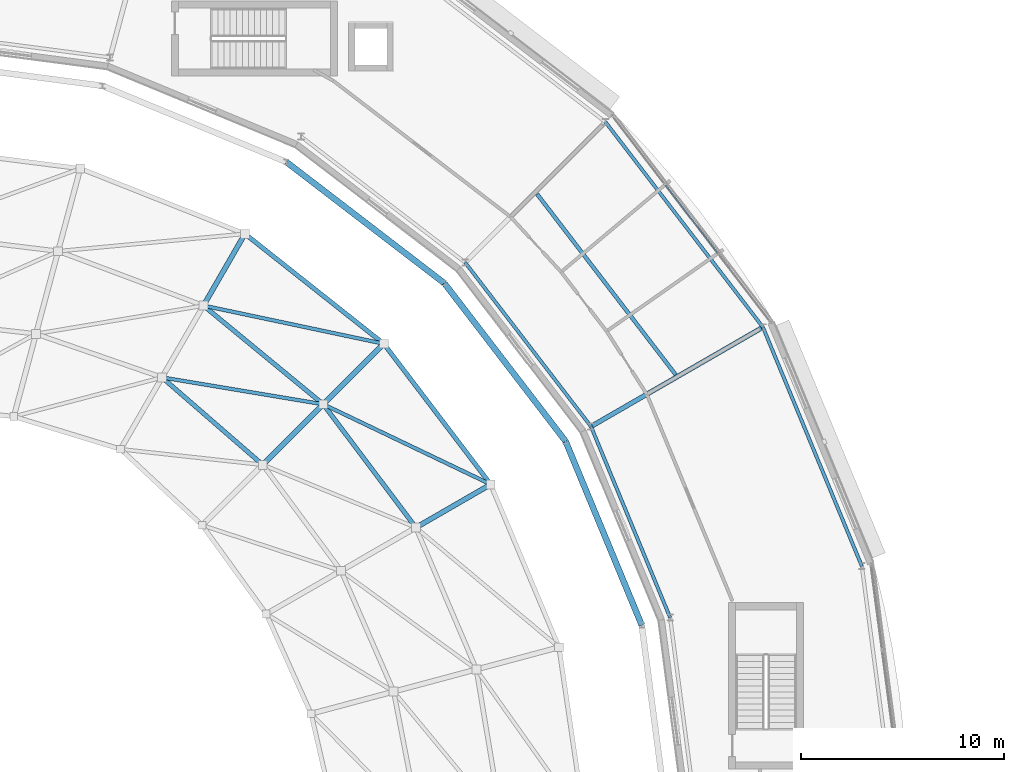
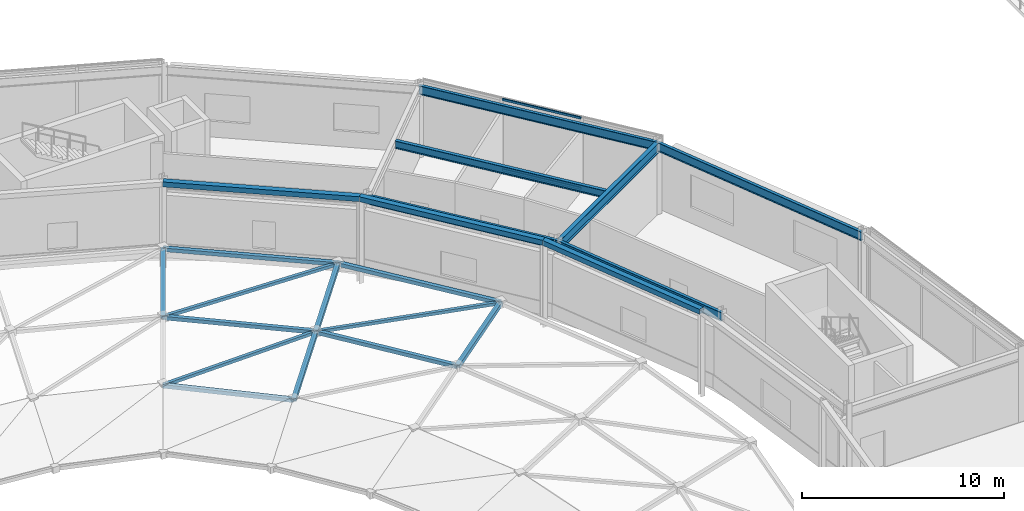
# One storey, part 39 of 89: 14 members, 9 beams, 1 element without a shape of its own.
"""IFC4 building model written with IfcOpenShell, lengths in metres."""

from ifc_helpers import new_model, si_unit, direction, frame, origin, origin_2d, place, context, subcontext, project, spatial, hollow_rectangle, i_section, extrude, material, material_profile, profile_set, type_object, element, aggregate, save


model = new_model("IFC4")

# Units and contexts
model_context = context("Model", 3, precision=1e-05, world=origin(), true_north=direction((0.0, 1.0)))
body_context = subcontext(model_context, "Body", "Model", "MODEL_VIEW")
ifc_project = project(units=[si_unit("LENGTHUNIT", "METRE"), si_unit("AREAUNIT", "SQUARE_METRE"), si_unit("VOLUMEUNIT", "CUBIC_METRE"), si_unit("PLANEANGLEUNIT", "RADIAN"), si_unit("MASSUNIT", "GRAM", prefix="KILO")], contexts=[model_context])

# Site, building, storey
site_placement = place(None, origin())
site = spatial("IfcSite", under=ifc_project, at=site_placement, CompositionType="ELEMENT")
building_placement = place(site_placement, origin())
building = spatial("IfcBuilding", under=site, at=building_placement, Name="Almandine Court Research Institute", CompositionType="ELEMENT")
storey_placement = place(building_placement, frame((0.0, 0.0, 18.89990234375)))
storey = spatial("IfcBuildingStorey", under=building, at=storey_placement, Name="L04", CompositionType="ELEMENT", Elevation=18.89990234375)

# Beams
ifc_material_1 = material(Name="Steel ASTM A992 Grade 50", Category="steel")
ifc_material_profile_1 = material_profile(ifc_material_1, i_section(OverallWidth=0.18994140625, OverallDepth=0.45703125, WebThickness=0.009033203125, FlangeThickness=0.014892578125, at=origin_2d()), Name="W460x74")
ifc_profile_set_1 = profile_set([ifc_material_profile_1], Name="Steel ASTM A992 Grade 50")
beam_type_1 = type_object("IfcBeamType", Name="Beam-B-01", PredefinedType="BEAM", material=ifc_profile_set_1)
beam_1_placement = place(storey_placement, frame((125.044921875, 78.10400390625, 4.080078125), z_axis=(-0.608773677202, 0.793343941772, 0.0), x_axis=(-0.793343941772, -0.608773677202, 0.0)))
element("IfcBeam", 1, at=beam_1_placement, inside=storey, type_object=beam_type_1, Name="L04 Drum MID Ring Beam 02", PredefinedType="BEAM", context=body_context, shape_type="SweptSolid", body=[
    extrude(i_section(OverallWidth=0.18994140625, OverallDepth=0.45703125, WebThickness=0.009033203125, FlangeThickness=0.014892578125, at=origin_2d()), origin(), (0.0, 0.0, 1.0), 11.248779296875),
])
ifc_material_profile_2 = material_profile(ifc_material_1, i_section(OverallWidth=0.22998046875, OverallDepth=0.616943359375, WebThickness=0.012939453125, FlangeThickness=0.02197265625, at=origin_2d()), Name="W610x140")
ifc_profile_set_2 = profile_set([ifc_material_profile_2], Name="Steel ASTM A992 Grade 50")
beam_type_2 = type_object("IfcBeamType", Name="Beam-G-02", PredefinedType="BEAM", material=ifc_profile_set_2)
beam_2_placement = place(storey_placement, frame((120.862060546875, 75.550048828125, 4.0), z_axis=(0.866030014362, 0.49999201416, 0.0), x_axis=(-0.49999201416, 0.866030014362, 0.0)))
element("IfcBeam", 2, at=beam_2_placement, inside=storey, type_object=beam_type_2, Name="L04 Drum Radial Girder 02", PredefinedType="BEAM", context=body_context, shape_type="SweptSolid", body=[
    extrude(i_section(OverallWidth=0.22998046875, OverallDepth=0.616943359375, WebThickness=0.012939453125, FlangeThickness=0.02197265625, at=origin_2d()), origin(), (0.0, 0.0, 1.0), 9.800048828125),
])
ifc_material_profile_3 = material_profile(ifc_material_1, i_section(OverallWidth=0.166015625, OverallDepth=0.534912109375, WebThickness=0.010009765625, FlangeThickness=0.01708984375, at=origin_2d()), Name="W530x85")
ifc_profile_set_3 = profile_set([ifc_material_profile_3], Name="Steel ASTM A992 Grade 50")
beam_type_3 = type_object("IfcBeamType", Name="Beam-G-05-E", PredefinedType="SPANDREL", material=ifc_profile_set_3)
beam_3_placement = place(storey_placement, frame((124.76806640625, 66.1201171875, 4.041015625), z_axis=(-0.382683455912, 0.923879522758, 0.0), x_axis=(-0.923879522758, -0.382683455912, 0.0)))
element("IfcBeam", 3, at=beam_3_placement, inside=storey, type_object=beam_type_3, Name="L04 Drum IN Ring Beam 01", PredefinedType="SPANDREL", context=body_context, shape_type="SweptSolid", body=[
    extrude(i_section(OverallWidth=0.166015625, OverallDepth=0.534912109375, WebThickness=0.010009765625, FlangeThickness=0.01708984375, at=origin_2d()), origin(), (0.0, 0.0, 1.0), 10.206787109375),
])
beam_4_placement = place(storey_placement, frame((134.23388671875, 68.656005859375, 4.041015625), z_axis=(-0.382653578879, 0.923891897665, 0.0), x_axis=(-0.923891897665, -0.382653578879, 0.0)))
element("IfcBeam", 4, at=beam_4_placement, inside=storey, type_object=beam_type_3, Name="L04 Drum OUT Ring Beam 01", PredefinedType="SPANDREL", context=body_context, shape_type="SweptSolid", body=[
    extrude(i_section(OverallWidth=0.166015625, OverallDepth=0.534912109375, WebThickness=0.010009765625, FlangeThickness=0.01708984375, at=origin_2d()), origin(), (0.0, 0.0, 1.0), 12.765625),
])
beam_5_placement = place(storey_placement, frame((120.862060546875, 75.550048828125, 4.041015625), z_axis=(-0.608784478787, 0.793335653042, 0.0), x_axis=(-0.793335653042, -0.608784478787, 0.0)))
element("IfcBeam", 5, at=beam_5_placement, inside=storey, type_object=beam_type_3, Name="L04 Drum IN Ring Beam 02", PredefinedType="SPANDREL", context=body_context, shape_type="SweptSolid", body=[
    extrude(i_section(OverallWidth=0.166015625, OverallDepth=0.534912109375, WebThickness=0.010009765625, FlangeThickness=0.01708984375, at=origin_2d()), origin(), (0.0, 0.0, 1.0), 10.20751953125),
])
beam_6_placement = place(storey_placement, frame((129.34912109375, 80.449951171875, 4.041015625), z_axis=(-0.608751886289, 0.793360662587, 0.0), x_axis=(-0.793360662587, -0.608751886289, 0.0)))
element("IfcBeam", 6, at=beam_6_placement, inside=storey, type_object=beam_type_3, Name="L04 Drum OUT Ring Beam 02", PredefinedType="SPANDREL", context=body_context, shape_type="SweptSolid", body=[
    extrude(i_section(OverallWidth=0.166015625, OverallDepth=0.534912109375, WebThickness=0.010009765625, FlangeThickness=0.01708984375, at=origin_2d()), origin(), (0.0, 0.0, 1.0), 12.765869140625),
])
ifc_material_2 = material(Name="Steel ASTM A500 Grade C", Category="steel")
ifc_material_profile_4 = material_profile(ifc_material_2, hollow_rectangle(XDim=0.300048828125, YDim=0.300048828125, WallThickness=0.011962890625, at=origin_2d()), Name="HSS 300x300x12")
ifc_profile_set_4 = profile_set([ifc_material_profile_4], Name="Steel ASTM A500 Grade C")
beam_type_4 = type_object("IfcBeamType", Name="Beam-RB-01-E", PredefinedType="BEAM", material=ifc_profile_set_4)
beam_7_placement = place(storey_placement, frame((123.366943359375, 65.7451171875, 5.10009765625), z_axis=(-0.382683080424, 0.92387967829, 0.0), x_axis=(-0.92387967829, -0.382683080424, 0.0)))
element("IfcBeam", 7, at=beam_7_placement, inside=storey, type_object=beam_type_4, Name="Gridshell Outer Ring Beam ORB-02", PredefinedType="BEAM", context=body_context, shape_type="SweptSolid", body=[
    extrude(hollow_rectangle(XDim=0.300048828125, YDim=0.300048828125, WallThickness=0.011962890625, at=origin_2d()), origin(), (0.0, 0.0, 1.0), 9.827880859375),
])
for number, where, z_axis, x_axis, name in (
    (8, (119.60595703125, 74.824951171875, 5.10009765625), (-0.608711534396, 0.793391623282, 0.0), (-0.793391623282, -0.608711534396, 0.0), "Gridshell Outer Ring Beam ORB-03"),
    (9, (113.623046875, 82.623046875, 5.10009765625), (-0.793391623282, 0.608711534396, 0.0), (-0.608711534396, -0.793391623282, 0.0), "Gridshell Outer Ring Beam ORB-04"),
):
    element("IfcBeam", number, at=place(storey_placement, frame(where, z_axis=z_axis, x_axis=x_axis)), inside=storey, type_object=beam_type_4, Name=name, PredefinedType="BEAM", context=body_context, shape_type="SweptSolid", body=[
        extrude(hollow_rectangle(XDim=0.300048828125, YDim=0.300048828125, WallThickness=0.011962890625, at=origin_2d()), origin(), (0.0, 0.0, 1.0), 9.828857421875),
    ])

# Curtain wall, members
ifc_material_3 = material(Name="Unitised Curtain Wall Framing and Solar Glazing", Category="glass")
curtain_wall_type = type_object("IfcCurtainWallType", Name="CW-CWJ-21", PredefinedType="USERDEFINED", material=ifc_material_3)
curtain_wall_placement = place(storey_placement, origin())
curtain_wall = element("IfcCurtainWall", 10, at=curtain_wall_placement, inside=storey, type_object=curtain_wall_type, Name="L04 Stacked-Ring Drum Outer Solar Jali Screen 02", ObjectType="SOLAR JALI SCREEN", PredefinedType="USERDEFINED")
ifc_material_4 = material(Name="Anodised Aluminium AW-6063-T6", Category="aluminium")
ifc_material_profile_5 = material_profile(ifc_material_4, hollow_rectangle(XDim=0.06494140625, YDim=0.1298828125, WallThickness=0.00390625, at=origin_2d()), Name="ALU RHS 65x130x4")
ifc_profile_set_5 = profile_set([ifc_material_profile_5], Name="Anodised Aluminium AW-6063-T6")
member_type_1 = type_object("IfcMemberType", Name="CWTrn-65x130", PredefinedType="NOTDEFINED", material=ifc_profile_set_5)
member_1_placement = place(storey_placement, frame((124.538818359375, 87.468505859375, 0.03271484375), z_axis=(0.608741867566, -0.793368349931, 0.0), x_axis=(0.793368349931, 0.608741867566, 0.0)))
member_1 = element("IfcMember", 11, at=member_1_placement, type_object=member_type_1, Name="CWJ-21 transom 2.1", ObjectType="TRANSOM", PredefinedType="USERDEFINED", context=body_context, shape_type="SweptSolid", body=[
    extrude(hollow_rectangle(XDim=0.06494140625, YDim=0.1298828125, WallThickness=0.00390625, at=origin_2d()), origin(), (0.0, 0.0, 1.0), 4.2275390625),
])
member_2_placement = place(storey_placement, frame((124.538818359375, 87.468505859375, 4.277587890625), z_axis=(0.608741867566, -0.793368349931, 0.0), x_axis=(0.793368349931, 0.608741867566, 0.0)))
member_2 = element("IfcMember", 12, at=member_2_placement, type_object=member_type_1, Name="CWJ-21 transom 2.2", ObjectType="TRANSOM", PredefinedType="USERDEFINED", context=body_context, shape_type="SweptSolid", body=[
    extrude(hollow_rectangle(XDim=0.06494140625, YDim=0.1298828125, WallThickness=0.00390625, at=origin_2d()), origin(), (0.0, 0.0, 1.0), 4.2275390625),
])
aggregate(curtain_wall, [member_1, member_2])

# Members
ifc_material_profile_6 = material_profile(ifc_material_2, hollow_rectangle(XDim=0.25, YDim=0.25, WallThickness=0.010009765625, at=origin_2d()), Name="HSS 250x250x10")
ifc_profile_set_6 = profile_set([ifc_material_profile_6], Name="Steel ASTM A500 Grade C")
member_type_2 = type_object("IfcMemberType", Name="Mem-GS-AR1", PredefinedType="RAFTER", material=ifc_profile_set_6)
member_3_placement = place(storey_placement, frame((115.912109375, 72.69189453125, 3.9931640625), z_axis=(-0.830787954745, -0.479442232558, -0.282712786926), x_axis=(0.499833120622, -0.866121730203, 0.0)))
element("IfcMember", 13, at=member_3_placement, inside=storey, type_object=member_type_2, Name="Atrium Conical Gridshell Radial Rib R1-S02", PredefinedType="RAFTER", context=body_context, shape_type="SweptSolid", body=[
    extrude(hollow_rectangle(XDim=0.25, YDim=0.25, WallThickness=0.010009765625, at=origin_2d()), origin(), (0.0, 0.0, 1.0), 4.446533203125),
])
member_4_placement = place(storey_placement, frame((110.634033203125, 79.634033203125, 3.9931640625), z_axis=(-0.677753192831, -0.677753192831, -0.285133686566), x_axis=(0.707106781187, -0.707106781187, 0.0)))
element("IfcMember", 14, at=member_4_placement, inside=storey, type_object=member_type_2, Name="Atrium Conical Gridshell Radial Rib R1-S03", PredefinedType="RAFTER", context=body_context, shape_type="SweptSolid", body=[
    extrude(hollow_rectangle(XDim=0.25, YDim=0.25, WallThickness=0.010009765625, at=origin_2d()), origin(), (0.0, 0.0, 1.0), 4.40869140625),
])
member_5_placement = place(storey_placement, frame((103.779052734375, 85.06103515625, 3.9931640625), z_axis=(-0.478141034543, -0.827751372383, -0.293613379471), x_axis=(0.865917322531, -0.500187155513, 0.0)))
element("IfcMember", 15, at=member_5_placement, inside=storey, type_object=member_type_2, Name="Atrium Conical Gridshell Radial Rib R1-S04", PredefinedType="RAFTER", context=body_context, shape_type="SweptSolid", body=[
    extrude(hollow_rectangle(XDim=0.25, YDim=0.25, WallThickness=0.010009765625, at=origin_2d()), origin(), (0.0, 0.0, 1.0), 4.281494140625),
])
member_6_placement = place(storey_placement, frame((107.64599609375, 76.64599609375, 2.736083984375), z_axis=(-0.677753192831, -0.677753192831, -0.285133686566), x_axis=(0.707106781187, -0.707106781187, 0.0)))
element("IfcMember", 16, at=member_6_placement, inside=storey, type_object=member_type_2, Name="Atrium Conical Gridshell Radial Rib R2-S03", PredefinedType="RAFTER", context=body_context, shape_type="SweptSolid", body=[
    extrude(hollow_rectangle(XDim=0.25, YDim=0.25, WallThickness=0.010009765625, at=origin_2d()), origin(), (0.0, 0.0, 1.0), 4.40869140625),
])
ifc_material_profile_7 = material_profile(ifc_material_2, hollow_rectangle(XDim=0.179931640625, YDim=0.179931640625, WallThickness=0.008056640625, at=origin_2d()), Name="HSS 180x180x8")
ifc_profile_set_7 = profile_set([ifc_material_profile_7], Name="Steel ASTM A500 Grade C")
member_type_3 = type_object("IfcMemberType", Name="Mem-GS-BR1", PredefinedType="BRACE", material=ifc_profile_set_7)
member_7_placement = place(storey_placement, frame((115.912109375, 72.69189453125, 3.9931640625), z_axis=(-0.893731546791, 0.427517163797, -0.13591540358), x_axis=(-0.431521490564, -0.902102656676, 0.0)))
element("IfcMember", 17, at=member_7_placement, inside=storey, type_object=member_type_3, Name="Atrium Conical Gridshell Diagonal Brace R1-S02", PredefinedType="BRACE", context=body_context, shape_type="SweptSolid", body=[
    extrude(hollow_rectangle(XDim=0.179931640625, YDim=0.179931640625, WallThickness=0.008056640625, at=origin_2d()), origin(), (0.0, 0.0, 1.0), 9.2490234375),
])
member_8_placement = place(storey_placement, frame((110.634033203125, 79.634033203125, 3.9931640625), z_axis=(-0.969146294413, 0.205003026871, -0.136854736855), x_axis=(-0.206950194962, -0.978351479176, 0.0)))
element("IfcMember", 18, at=member_8_placement, inside=storey, type_object=member_type_3, Name="Atrium Conical Gridshell Diagonal Brace R1-S03", PredefinedType="BRACE", context=body_context, shape_type="SweptSolid", body=[
    extrude(hollow_rectangle(XDim=0.179931640625, YDim=0.179931640625, WallThickness=0.008056640625, at=origin_2d()), origin(), (0.0, 0.0, 1.0), 9.185546875),
])
member_9_placement = place(storey_placement, frame((107.64599609375, 76.64599609375, 2.736083984375), z_axis=(-0.974653522615, 0.162352572731, -0.153922555145), x_axis=(-0.164310677027, -0.986408638149, 0.0)))
element("IfcMember", 19, at=member_9_placement, inside=storey, type_object=member_type_3, Name="Atrium Conical Gridshell Diagonal Brace R2-S03", PredefinedType="BRACE", context=body_context, shape_type="SweptSolid", body=[
    extrude(hollow_rectangle(XDim=0.179931640625, YDim=0.179931640625, WallThickness=0.008056640625, at=origin_2d()), origin(), (0.0, 0.0, 1.0), 8.1669921875),
])
ifc_material_profile_8 = material_profile(ifc_material_2, hollow_rectangle(XDim=0.219970703125, YDim=0.219970703125, WallThickness=0.010009765625, at=origin_2d()), Name="HSS 220x220x10")
ifc_profile_set_8 = profile_set([ifc_material_profile_8], Name="Steel ASTM A500 Grade C")
member_type_4 = type_object("IfcMemberType", Name="Mem-GS-ST1", PredefinedType="COLLAR", material=ifc_profile_set_8)
member_10_placement = place(storey_placement, frame((115.912109375, 72.69189453125, 3.9931640625), z_axis=(-0.605232319599, 0.796048892539, 0.0), x_axis=(-0.796048892539, -0.605232319599, 0.0)))
element("IfcMember", 20, at=member_10_placement, inside=storey, type_object=member_type_4, Name="Atrium Conical Gridshell Hoop Ring R1-S02", PredefinedType="COLLAR", context=body_context, shape_type="SweptSolid", body=[
    extrude(hollow_rectangle(XDim=0.219970703125, YDim=0.219970703125, WallThickness=0.010009765625, at=origin_2d()), origin(), (0.0, 0.0, 1.0), 8.720703125),
])
member_11_placement = place(storey_placement, frame((110.634033203125, 79.634033203125, 3.9931640625), z_axis=(-0.784037897323, 0.620712957461, 0.0), x_axis=(-0.620712957461, -0.784037897323, 0.0)))
element("IfcMember", 21, at=member_11_placement, inside=storey, type_object=member_type_4, Name="Atrium Conical Gridshell Hoop Ring R1-S03", PredefinedType="COLLAR", context=body_context, shape_type="SweptSolid", body=[
    extrude(hollow_rectangle(XDim=0.219970703125, YDim=0.219970703125, WallThickness=0.010009765625, at=origin_2d()), origin(), (0.0, 0.0, 1.0), 8.7431640625),
])
member_12_placement = place(storey_placement, frame((112.218017578125, 70.56005859375, 2.736083984375), z_axis=(-0.600636143888, 0.799522496654, 0.0), x_axis=(-0.799522496654, -0.600636143888, 0.0)))
element("IfcMember", 22, at=member_12_placement, inside=storey, type_object=member_type_4, Name="Atrium Conical Gridshell Hoop Ring R2-S02", PredefinedType="COLLAR", context=body_context, shape_type="SweptSolid", body=[
    extrude(hollow_rectangle(XDim=0.219970703125, YDim=0.219970703125, WallThickness=0.010009765625, at=origin_2d()), origin(), (0.0, 0.0, 1.0), 7.612060546875),
])
member_13_placement = place(storey_placement, frame((107.64599609375, 76.64599609375, 2.736083984375), z_axis=(-0.77188608333, 0.635760862558, 0.0), x_axis=(-0.635760862558, -0.77188608333, 0.0)))
element("IfcMember", 23, at=member_13_placement, inside=storey, type_object=member_type_4, Name="Atrium Conical Gridshell Hoop Ring R2-S03", PredefinedType="COLLAR", context=body_context, shape_type="SweptSolid", body=[
    extrude(hollow_rectangle(XDim=0.219970703125, YDim=0.219970703125, WallThickness=0.010009765625, at=origin_2d()), origin(), (0.0, 0.0, 1.0), 7.661865234375),
])
member_14_placement = place(storey_placement, frame((104.657958984375, 73.657958984375, 1.47900390625), z_axis=(-0.755315717583, 0.655361096474, 0.0), x_axis=(-0.655361096474, -0.755315717583, 0.0)))
element("IfcMember", 24, at=member_14_placement, inside=storey, type_object=member_type_4, Name="Atrium Conical Gridshell Hoop Ring R3-S03", PredefinedType="COLLAR", context=body_context, shape_type="SweptSolid", body=[
    extrude(hollow_rectangle(XDim=0.219970703125, YDim=0.219970703125, WallThickness=0.010009765625, at=origin_2d()), origin(), (0.0, 0.0, 1.0), 6.58251953125),
])

save(model, "model.ifc")
